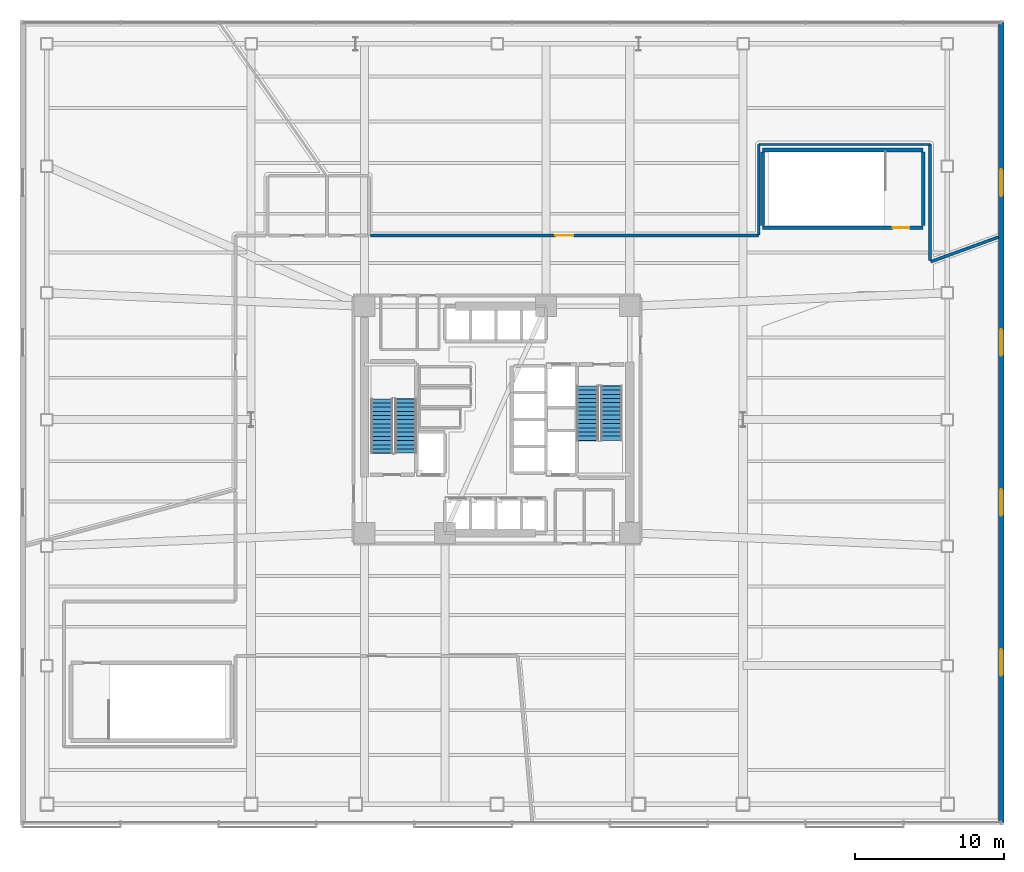
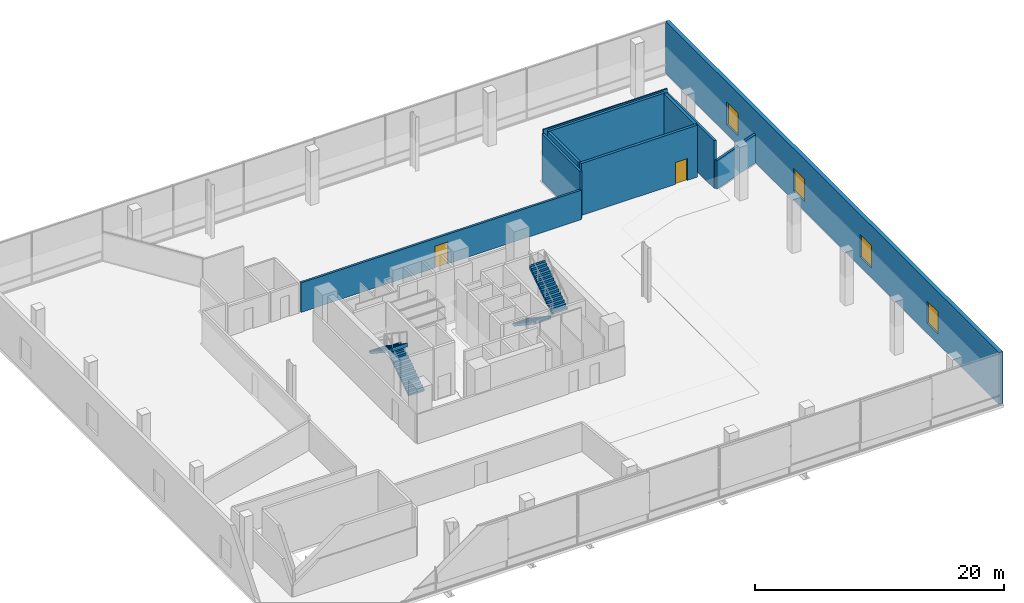
# One storey, part 14 of 19: 10 walls, 4 stair flights, 4 windows, 2 doors, 6 openings, 2 elements without a shape of their own.
"""IFC4 building model written with IfcOpenShell, lengths in metres."""

from ifc_helpers import new_model, si_unit, direction, frame, frame_2d, origin, place, context, subcontext, project, spatial, polyline, rectangle, outline, extrude, material, layer, layer_set, type_object, element, fill, aggregate, save


model = new_model("IFC4")

# Units and contexts
model_context = context("Model", 3, precision=1e-05, world=origin(), true_north=direction((0.0, 1.0)))
body_context = subcontext(model_context, "Body", "Model", "MODEL_VIEW")
ifc_project = project(units=[si_unit("LENGTHUNIT", "METRE"), si_unit("AREAUNIT", "SQUARE_METRE"), si_unit("VOLUMEUNIT", "CUBIC_METRE"), si_unit("PLANEANGLEUNIT", "RADIAN"), si_unit("MASSUNIT", "GRAM", prefix="KILO")], contexts=[model_context])

# Site, building, storey
site_placement = place(None, origin())
site = spatial("IfcSite", under=ifc_project, at=site_placement, CompositionType="ELEMENT")
building_placement = place(site_placement, origin())
building = spatial("IfcBuilding", under=site, at=building_placement, Name="Tharavind Bronze Gate", CompositionType="ELEMENT")
storey_placement = place(building_placement, frame((0.0, 0.0, 26.5)))
storey = spatial("IfcBuildingStorey", under=building, at=storey_placement, Name="L05", CompositionType="ELEMENT", Elevation=26.5)

# Wall, openings, windows
ifc_material_1 = material(Name="Concrete C40/50", Category="concrete")
ifc_layer_1 = layer(ifc_material_1, 0.35009765625)
ifc_layer_set_1 = layer_set([ifc_layer_1], Name="Concrete C40/50")
wall_type_1 = type_object("IfcWallType", Name="EXTERIOR SPANDREL WALL 350", PredefinedType="STANDARD", material=ifc_layer_set_1)
wall_1_placement = place(storey_placement, frame((33.820068359375, -27.02001953125, 0.0), z_axis=(0.0, 0.0, 1.0), x_axis=(0.0, 1.0, 0.0)))
wall_1 = element("IfcWall", 1, at=wall_1_placement, inside=storey, type_object=wall_type_1, Name="L05 upper podium east wall", PredefinedType="STANDARD", context=body_context, shape_type="SweptSolid", body=[
    extrude(rectangle(XDim=53.64013671875, YDim=0.35009765625, at=frame_2d((26.820068359375, 0.0))), origin(), (0.0, 0.0, 1.0), 5.10498046875),
])
opening_1_placement = place(wall_1_placement, frame((9.827880859375, 0.0, 0.949951171875)))
opening_1 = element("IfcOpeningElement", 2, at=opening_1_placement, cuts=wall_1, Name="Opening W02", PredefinedType="OPENING", context=body_context, shape_type="SweptSolid", body=[
    extrude(rectangle(XDim=1.800048828125, YDim=2.199951171875, at=frame_2d((0.89990234375, 1.10009765625))), frame((0.0, 0.185048828125, 0.0), z_axis=(0.0, -1.0, 0.0), x_axis=(1.0, 0.0, 0.0)), (0.0, 0.0, 1.0), 0.37009765625),
])
opening_2_placement = place(wall_1_placement, frame((20.555908203125, 0.0, 0.949951171875)))
opening_2 = element("IfcOpeningElement", 3, at=opening_2_placement, cuts=wall_1, Name="Opening W02", PredefinedType="OPENING", context=body_context, shape_type="SweptSolid", body=[
    extrude(rectangle(XDim=1.800048828125, YDim=2.199951171875, at=frame_2d((0.89990234375, 1.10009765625))), frame((0.0, 0.185048828125, 0.0), z_axis=(0.0, -1.0, 0.0), x_axis=(1.0, 0.0, 0.0)), (0.0, 0.0, 1.0), 0.37009765625),
])
opening_3_placement = place(wall_1_placement, frame((31.283935546875, 0.0, 0.949951171875)))
opening_3 = element("IfcOpeningElement", 4, at=opening_3_placement, cuts=wall_1, Name="Opening W02", PredefinedType="OPENING", context=body_context, shape_type="SweptSolid", body=[
    extrude(rectangle(XDim=1.800048828125, YDim=2.199951171875, at=frame_2d((0.89990234375, 1.10009765625))), frame((0.0, 0.185048828125, 0.0), z_axis=(0.0, -1.0, 0.0), x_axis=(1.0, 0.0, 0.0)), (0.0, 0.0, 1.0), 0.37009765625),
])
opening_4_placement = place(wall_1_placement, frame((42.011962890625, 0.0, 0.949951171875)))
opening_4 = element("IfcOpeningElement", 5, at=opening_4_placement, cuts=wall_1, Name="Opening W02", PredefinedType="OPENING", context=body_context, shape_type="SweptSolid", body=[
    extrude(rectangle(XDim=1.800048828125, YDim=2.199951171875, at=frame_2d((0.89990234375, 1.10009765625))), frame((0.0, 0.185048828125, 0.0), z_axis=(0.0, -1.0, 0.0), x_axis=(1.0, 0.0, 0.0)), (0.0, 0.0, 1.0), 0.37009765625),
])
ifc_material_2 = material(Name="Bronze Aluminium & Low-E Glass", Category="aluminium")
window_type = type_object("IfcWindowType", Name="DOUBLE PANEL BRONZE WINDOW 1800X2200", PartitioningType="DOUBLE_PANEL_VERTICAL", PredefinedType="WINDOW", material=ifc_material_2)
window_1_placement = place(opening_1_placement, origin())
window_1 = element("IfcWindow", 6, at=window_1_placement, inside=storey, type_object=window_type, Name="L05 exterior window WL-L05-EA-01", OverallHeight=2.199951171875, OverallWidth=1.800048828125, PartitioningType="SINGLE_PANEL", PredefinedType="WINDOW", context=body_context, shape_type="SweptSolid", body=[
    extrude(rectangle(XDim=1.800048828125, YDim=2.199951171875, at=frame_2d((0.89990234375, 1.10009765625))), frame((0.0, 0.030029296875, 0.0), z_axis=(0.0, -1.0, 0.0), x_axis=(1.0, 0.0, 0.0)), (0.0, 0.0, 1.0), 0.06005859375),
])
fill(opening_1, window_1)
window_2_placement = place(opening_2_placement, origin())
window_2 = element("IfcWindow", 7, at=window_2_placement, inside=storey, type_object=window_type, Name="L05 exterior window WL-L05-EA-02", OverallHeight=2.199951171875, OverallWidth=1.800048828125, PartitioningType="SINGLE_PANEL", PredefinedType="WINDOW", context=body_context, shape_type="SweptSolid", body=[
    extrude(rectangle(XDim=1.800048828125, YDim=2.199951171875, at=frame_2d((0.89990234375, 1.10009765625))), frame((0.0, 0.030029296875, 0.0), z_axis=(0.0, -1.0, 0.0), x_axis=(1.0, 0.0, 0.0)), (0.0, 0.0, 1.0), 0.06005859375),
])
fill(opening_2, window_2)
window_3_placement = place(opening_3_placement, origin())
window_3 = element("IfcWindow", 8, at=window_3_placement, inside=storey, type_object=window_type, Name="L05 exterior window WL-L05-EA-03", OverallHeight=2.199951171875, OverallWidth=1.800048828125, PartitioningType="SINGLE_PANEL", PredefinedType="WINDOW", context=body_context, shape_type="SweptSolid", body=[
    extrude(rectangle(XDim=1.800048828125, YDim=2.199951171875, at=frame_2d((0.89990234375, 1.10009765625))), frame((0.0, 0.030029296875, 0.0), z_axis=(0.0, -1.0, 0.0), x_axis=(1.0, 0.0, 0.0)), (0.0, 0.0, 1.0), 0.06005859375),
])
fill(opening_3, window_3)
window_4_placement = place(opening_4_placement, origin())
window_4 = element("IfcWindow", 9, at=window_4_placement, inside=storey, type_object=window_type, Name="L05 exterior window WL-L05-EA-04", OverallHeight=2.199951171875, OverallWidth=1.800048828125, PartitioningType="SINGLE_PANEL", PredefinedType="WINDOW", context=body_context, shape_type="SweptSolid", body=[
    extrude(rectangle(XDim=1.800048828125, YDim=2.199951171875, at=frame_2d((0.89990234375, 1.10009765625))), frame((0.0, 0.030029296875, 0.0), z_axis=(0.0, -1.0, 0.0), x_axis=(1.0, 0.0, 0.0)), (0.0, 0.0, 1.0), 0.06005859375),
])
fill(opening_4, window_4)

# Walls
ifc_material_3 = material(Name="Aerated Concrete Block", Category="concrete")
ifc_layer_2 = layer(ifc_material_3, 0.199951171875)
ifc_layer_set_2 = layer_set([ifc_layer_2], Name="Aerated Concrete Block")
wall_type_2 = type_object("IfcWallType", Name="FIRE RATED PARTITION 200", PredefinedType="PARTITIONING", material=ifc_layer_set_2)
wall_2_placement = place(storey_placement, frame((33.639892578125, 12.243896484375, 0.0), z_axis=(0.0, 0.0, 1.0), x_axis=(-0.9396890037, -0.342030081023, 0.0)))
element("IfcWall", 10, at=wall_2_placement, inside=storey, type_object=wall_type_2, Name="L05 Auditorium Plenary Hall partition", PredefinedType="PARTITIONING", context=body_context, shape_type="SweptSolid", body=[
    extrude(rectangle(XDim=4.848876953125, YDim=0.199951171875, at=frame_2d((2.42431640625, 0.0))), origin(), (0.0, 0.0, 1.0), 2.800048828125),
])
wall_3_placement = place(storey_placement, frame((29.050048828125, 10.68505859375, 0.0), z_axis=(0.0, 0.0, 1.0), x_axis=(0.0, 1.0, 0.0)))
element("IfcWall", 11, at=wall_3_placement, inside=storey, type_object=wall_type_2, Name="L05 Auditorium Plenary Hall partition", PredefinedType="PARTITIONING", context=body_context, shape_type="SweptSolid", body=[
    extrude(rectangle(XDim=7.764404296875, YDim=0.199951171875, at=frame_2d((3.88232421875, 0.0))), origin(), (0.0, 0.0, 1.0), 4.699951171875),
])
wall_4_placement = place(storey_placement, frame((17.550048828125, 18.449462890625, 0.0), z_axis=(0.0, 0.0, 1.0), x_axis=(0.0, -1.0, 0.0)))
element("IfcWall", 12, at=wall_4_placement, inside=storey, type_object=wall_type_2, Name="L05 Auditorium Plenary Hall partition", PredefinedType="PARTITIONING", context=body_context, shape_type="SweptSolid", body=[
    extrude(rectangle(XDim=6.074462890625, YDim=0.199951171875, at=frame_2d((3.037109375, 0.0))), origin(), (0.0, 0.0, 1.0), 4.699951171875),
])

# Wall, opening, door
wall_5_placement = place(storey_placement, frame((17.52490234375, 12.35009765625, 0.0), z_axis=(0.0, 0.0, 1.0), x_axis=(-1.0, 0.0, 0.0)))
wall_5 = element("IfcWall", 13, at=wall_5_placement, inside=storey, type_object=wall_type_2, Name="L05 Auditorium Plenary Hall partition", PredefinedType="PARTITIONING", context=body_context, shape_type="SweptSolid", body=[
    extrude(rectangle(XDim=26.02001953125, YDim=0.199951171875, at=frame_2d((13.010009765625, 0.0))), origin(), (0.0, 0.0, 1.0), 2.89990234375),
])
opening_5_placement = place(wall_5_placement, frame((12.409912109375, 0.0, 0.0)))
opening_5 = element("IfcOpeningElement", 14, at=opening_5_placement, cuts=wall_5, Name="Opening ID05", PredefinedType="OPENING", context=body_context, shape_type="SweptSolid", body=[
    extrude(rectangle(XDim=1.199951171875, YDim=2.14990234375, at=frame_2d((0.60009765625, 1.074951171875))), frame((0.0, 0.11009765625, 0.0), z_axis=(0.0, -1.0, 0.0), x_axis=(1.0, 0.0, 0.0)), (0.0, 0.0, 1.0), 0.219951171875),
])
ifc_material_4 = material(Name="Acoustic Laminated Glass", Category="glass")
door_type_1 = type_object("IfcDoorType", Name="MEETING ROOM GLAZED DOOR 1200X2150", OperationType="SINGLE_SWING_LEFT", PredefinedType="DOOR", material=ifc_material_4)
door_1_placement = place(opening_5_placement, origin())
door_1 = element("IfcDoor", 15, at=door_1_placement, inside=storey, type_object=door_type_1, Name="L05 Auditorium Plenary Hall door", OperationType="SINGLE_SWING_LEFT", OverallHeight=2.14990234375, OverallWidth=1.199951171875, PredefinedType="DOOR", context=body_context, shape_type="SweptSolid", body=[
    extrude(rectangle(XDim=1.199951171875, YDim=2.14990234375, at=frame_2d((0.60009765625, 1.074951171875))), frame((0.0, 0.02490234375, 0.0), z_axis=(0.0, -1.0, 0.0), x_axis=(1.0, 0.0, 0.0)), (0.0, 0.0, 1.0), 0.050048828125),
])
fill(opening_5, door_1)

# Wall
ifc_material_5 = material(Name="Metal Stud Gypsum Partition", Category="gypsum")
ifc_layer_3 = layer(ifc_material_5, 0.1201171875)
ifc_layer_set_3 = layer_set([ifc_layer_3], Name="Metal Stud Gypsum Partition")
wall_type_3 = type_object("IfcWallType", Name="INTERIOR PARTITION WALL 120", PredefinedType="PARTITIONING", material=ifc_layer_set_3)
wall_6_placement = place(storey_placement, frame((29.04931640625, 18.449951171875, 0.0), z_axis=(0.0, 0.0, 1.0), x_axis=(-1.0, 0.0, 0.0)))
element("IfcWall", 16, at=wall_6_placement, inside=storey, type_object=wall_type_3, Name="L05 Auditorium Plenary Hall partition", PredefinedType="PARTITIONING", context=body_context, shape_type="SweptSolid", body=[
    extrude(rectangle(XDim=11.498779296875, YDim=0.1201171875, at=frame_2d((5.74951171875, 0.0))), origin(), (0.0, 0.0, 1.0), 5.10498046875),
])

# Wall, opening, door
ifc_material_6 = material(Name="Concrete C50/60", Category="concrete")
ifc_layer_4 = layer(ifc_material_6, 0.25)
ifc_layer_set_4 = layer_set([ifc_layer_4], Name="Concrete C50/60")
wall_type_4 = type_object("IfcWallType", Name="RC CORE SHEAR WALL 250", PredefinedType="SHEAR", material=ifc_layer_set_4)
wall_7_placement = place(storey_placement, frame((17.800048828125, 12.8701171875, 0.0), z_axis=(0.0, 0.0, 1.0), x_axis=(1.0, 0.0, 0.0)))
wall_7 = element("IfcWall", 17, at=wall_7_placement, inside=storey, type_object=wall_type_4, Name="L05 ST4 south wall", PredefinedType="SHEAR", context=body_context, shape_type="SweptSolid", body=[
    extrude(rectangle(XDim=10.780029296875, YDim=0.25, at=frame_2d((5.39013671875, 0.0))), origin(), (0.0, 0.0, 1.0), 5.10498046875),
])
opening_6_placement = place(wall_7_placement, frame((8.75, 0.0, 0.0)))
opening_6 = element("IfcOpeningElement", 18, at=opening_6_placement, cuts=wall_7, Name="Opening ID01", PredefinedType="OPENING", context=body_context, shape_type="SweptSolid", body=[
    extrude(rectangle(XDim=1.10009765625, YDim=2.14990234375, at=frame_2d((0.550048828125, 1.074951171875))), frame((0.0, 0.135, 0.0), z_axis=(0.0, -1.0, 0.0), x_axis=(1.0, 0.0, 0.0)), (0.0, 0.0, 1.0), 0.27),
])
ifc_material_7 = material(Name="Fire-Rated Steel", Category="steel")
door_type_2 = type_object("IfcDoorType", Name="STAIR CORE FIRE DOOR 1100X2150", OperationType="SINGLE_SWING_LEFT", PredefinedType="DOOR", material=ifc_material_7)
door_2_placement = place(opening_6_placement, origin())
door_2 = element("IfcDoor", 19, at=door_2_placement, inside=storey, type_object=door_type_2, Name="L05 podium stair ST4 fire door", OperationType="SINGLE_SWING_LEFT", OverallHeight=2.14990234375, OverallWidth=1.10009765625, PredefinedType="DOOR", context=body_context, shape_type="SweptSolid", body=[
    extrude(rectangle(XDim=1.10009765625, YDim=2.14990234375, at=frame_2d((0.550048828125, 1.074951171875))), frame((0.0, 0.02490234375, 0.0), z_axis=(0.0, -1.0, 0.0), x_axis=(1.0, 0.0, 0.0)), (0.0, 0.0, 1.0), 0.050048828125),
])
fill(opening_6, door_2)

# Walls
wall_8_placement = place(storey_placement, frame((17.800048828125, 18.080078125, 0.0), z_axis=(0.0, 0.0, 1.0), x_axis=(1.0, 0.0, 0.0)))
element("IfcWall", 20, at=wall_8_placement, inside=storey, type_object=wall_type_4, Name="L05 ST4 north wall", PredefinedType="SHEAR", context=body_context, shape_type="SweptSolid", body=[
    extrude(rectangle(XDim=10.780029296875, YDim=0.25, at=frame_2d((5.39013671875, 0.0))), origin(), (0.0, 0.0, 1.0), 5.10498046875),
])
for number, where, z_axis, x_axis, name in (
    (21, (17.800048828125, 13.02001953125, 0.0), (0.0, 0.0, 1.0), (0.0, 1.0, 0.0), "L05 ST4 west wall"),
    (22, (28.580078125, 13.02001953125, 0.0), (0.0, 0.0, 1.0), (0.0, 1.0, 0.0), "L05 ST4 east wall"),
):
    element("IfcWall", number, at=place(storey_placement, frame(where, z_axis=z_axis, x_axis=x_axis)), inside=storey, type_object=wall_type_4, Name=name, PredefinedType="SHEAR", context=body_context, shape_type="SweptSolid", body=[
        extrude(rectangle(XDim=4.909912109375, YDim=0.25, at=frame_2d((2.455078125, 0.0))), origin(), (0.0, 0.0, 1.0), 5.10498046875),
    ])

# Stair, stair flights
stair_type = type_object("IfcStairType", Name="CORE HALF TURN STAIR 1450", PredefinedType="HALF_TURN_STAIR", material=ifc_material_1)
stair_1_placement = place(storey_placement, origin())
stair_1 = element("IfcStair", 23, at=stair_1_placement, inside=storey, type_object=stair_type, Name="L05 Protected Exit Stair ST1", PredefinedType="HALF_TURN_STAIR")
stair_flight_type = type_object("IfcStairFlightType", Name="CORE STAIR FLIGHT 1450", PredefinedType="STRAIGHT", material=ifc_material_1)
stair_flight_1_placement = place(storey_placement, frame((-6.125, -2.25, 0.0), z_axis=(0.0, 0.0, 1.0), x_axis=(0.0, 1.0, 0.0)))
stair_flight_1 = element("IfcStairFlight", 24, at=stair_flight_1_placement, type_object=stair_flight_type, Name="ST1 flight 1", NumberOfRisers=14, NumberOfTreads=13, PredefinedType="STRAIGHT", RiserHeight=0.189285714, TreadLength=0.28, context=body_context, shape_type="SweptSolid", body=[
    extrude(outline(polyline([(0.0, 0.0), (0.0, 0.189208984375), (0.280029296875, 0.189208984375), (0.280029296875, 0.378662109375), (0.56005859375, 0.378662109375), (0.56005859375, 0.56787109375), (0.840087890625, 0.56787109375), (0.840087890625, 0.757080078125), (1.1201171875, 0.757080078125), (1.1201171875, 0.946533203125), (1.39990234375, 0.946533203125), (1.39990234375, 1.1357421875), (1.679931640625, 1.1357421875), (1.679931640625, 1.324951171875), (1.9599609375, 1.324951171875), (1.9599609375, 1.514404296875), (2.239990234375, 1.514404296875), (2.239990234375, 1.70361328125), (2.52001953125, 1.70361328125), (2.52001953125, 1.892822265625), (2.800048828125, 1.892822265625), (2.800048828125, 2.08203125), (3.080078125, 2.08203125), (3.080078125, 2.271484375), (3.360107421875, 2.271484375), (3.360107421875, 2.460693359375), (3.639892578125, 2.460693359375), (3.639892578125, 2.64990234375), (3.676025390625, 2.64990234375), (3.676025390625, 2.27978515625), (0.267578125, 0.0), (0.0, 0.0)])), frame((0.0, 0.72509765625, 0.0), z_axis=(0.0, -1.0, 0.0), x_axis=(1.0, 0.0, 0.0)), (0.0, 0.0, 1.0), 1.449951171875),
])
stair_flight_2_placement = place(storey_placement, frame((-7.72509765625, 1.389892578125, 2.64990234375), z_axis=(0.0, 0.0, 1.0), x_axis=(0.0, -1.0, 0.0)))
stair_flight_2 = element("IfcStairFlight", 25, at=stair_flight_2_placement, type_object=stair_flight_type, Name="ST1 flight 2", NumberOfRisers=14, NumberOfTreads=13, PredefinedType="STRAIGHT", RiserHeight=0.189285714, TreadLength=0.28, context=body_context, shape_type="SweptSolid", body=[
    extrude(outline(polyline([(0.0, 0.0), (0.0, 0.189208984375), (0.280029296875, 0.189208984375), (0.280029296875, 0.378662109375), (0.56005859375, 0.378662109375), (0.56005859375, 0.56787109375), (0.840087890625, 0.56787109375), (0.840087890625, 0.757080078125), (1.1201171875, 0.757080078125), (1.1201171875, 0.946533203125), (1.39990234375, 0.946533203125), (1.39990234375, 1.1357421875), (1.679931640625, 1.1357421875), (1.679931640625, 1.324951171875), (1.9599609375, 1.324951171875), (1.9599609375, 1.514404296875), (2.239990234375, 1.514404296875), (2.239990234375, 1.70361328125), (2.52001953125, 1.70361328125), (2.52001953125, 1.892822265625), (2.800048828125, 1.892822265625), (2.800048828125, 2.08203125), (3.080078125, 2.08203125), (3.080078125, 2.271484375), (3.360107421875, 2.271484375), (3.360107421875, 2.460693359375), (3.639892578125, 2.460693359375), (3.639892578125, 2.64990234375), (3.676025390625, 2.64990234375), (3.676025390625, 2.27978515625), (0.267578125, 0.0), (0.0, 0.0)])), frame((0.0, 0.72509765625, 0.0), z_axis=(0.0, -1.0, 0.0), x_axis=(1.0, 0.0, 0.0)), (0.0, 0.0, 1.0), 1.449951171875),
])
aggregate(stair_1, [stair_flight_1, stair_flight_2])

stair_2_placement = place(storey_placement, origin())
stair_2 = element("IfcStair", 26, at=stair_2_placement, inside=storey, type_object=stair_type, Name="L05 Protected Exit Stair ST2", PredefinedType="HALF_TURN_STAIR")
stair_flight_3_placement = place(storey_placement, frame((6.074951171875, 2.25, 0.0), z_axis=(0.0, 0.0, 1.0), x_axis=(0.0, -1.0, 0.0)))
stair_flight_3 = element("IfcStairFlight", 27, at=stair_flight_3_placement, type_object=stair_flight_type, Name="ST2 flight 1", NumberOfRisers=14, NumberOfTreads=13, PredefinedType="STRAIGHT", RiserHeight=0.189285714, TreadLength=0.28, context=body_context, shape_type="SweptSolid", body=[
    extrude(outline(polyline([(0.0, 0.0), (0.0, 0.189208984375), (0.280029296875, 0.189208984375), (0.280029296875, 0.378662109375), (0.56005859375, 0.378662109375), (0.56005859375, 0.56787109375), (0.840087890625, 0.56787109375), (0.840087890625, 0.757080078125), (1.1201171875, 0.757080078125), (1.1201171875, 0.946533203125), (1.39990234375, 0.946533203125), (1.39990234375, 1.1357421875), (1.679931640625, 1.1357421875), (1.679931640625, 1.324951171875), (1.9599609375, 1.324951171875), (1.9599609375, 1.514404296875), (2.239990234375, 1.514404296875), (2.239990234375, 1.70361328125), (2.52001953125, 1.70361328125), (2.52001953125, 1.892822265625), (2.800048828125, 1.892822265625), (2.800048828125, 2.08203125), (3.080078125, 2.08203125), (3.080078125, 2.271484375), (3.360107421875, 2.271484375), (3.360107421875, 2.460693359375), (3.639892578125, 2.460693359375), (3.639892578125, 2.64990234375), (3.676025390625, 2.64990234375), (3.676025390625, 2.27978515625), (0.267578125, 0.0), (0.0, 0.0)])), frame((0.0, 0.72509765625, 0.0), z_axis=(0.0, -1.0, 0.0), x_axis=(1.0, 0.0, 0.0)), (0.0, 0.0, 1.0), 1.449951171875),
])
stair_flight_4_placement = place(storey_placement, frame((7.675048828125, -1.389892578125, 2.64990234375), z_axis=(0.0, 0.0, 1.0), x_axis=(0.0, 1.0, 0.0)))
stair_flight_4 = element("IfcStairFlight", 28, at=stair_flight_4_placement, type_object=stair_flight_type, Name="ST2 flight 2", NumberOfRisers=14, NumberOfTreads=13, PredefinedType="STRAIGHT", RiserHeight=0.189285714, TreadLength=0.28, context=body_context, shape_type="SweptSolid", body=[
    extrude(outline(polyline([(0.0, 0.0), (0.0, 0.189208984375), (0.280029296875, 0.189208984375), (0.280029296875, 0.378662109375), (0.56005859375, 0.378662109375), (0.56005859375, 0.56787109375), (0.840087890625, 0.56787109375), (0.840087890625, 0.757080078125), (1.1201171875, 0.757080078125), (1.1201171875, 0.946533203125), (1.39990234375, 0.946533203125), (1.39990234375, 1.1357421875), (1.679931640625, 1.1357421875), (1.679931640625, 1.324951171875), (1.9599609375, 1.324951171875), (1.9599609375, 1.514404296875), (2.239990234375, 1.514404296875), (2.239990234375, 1.70361328125), (2.52001953125, 1.70361328125), (2.52001953125, 1.892822265625), (2.800048828125, 1.892822265625), (2.800048828125, 2.08203125), (3.080078125, 2.08203125), (3.080078125, 2.271484375), (3.360107421875, 2.271484375), (3.360107421875, 2.460693359375), (3.639892578125, 2.460693359375), (3.639892578125, 2.64990234375), (3.676025390625, 2.64990234375), (3.676025390625, 2.27978515625), (0.267578125, 0.0), (0.0, 0.0)])), frame((0.0, 0.72509765625, 0.0), z_axis=(0.0, -1.0, 0.0), x_axis=(1.0, 0.0, 0.0)), (0.0, 0.0, 1.0), 1.449951171875),
])
aggregate(stair_2, [stair_flight_3, stair_flight_4])

save(model, "model.ifc")
